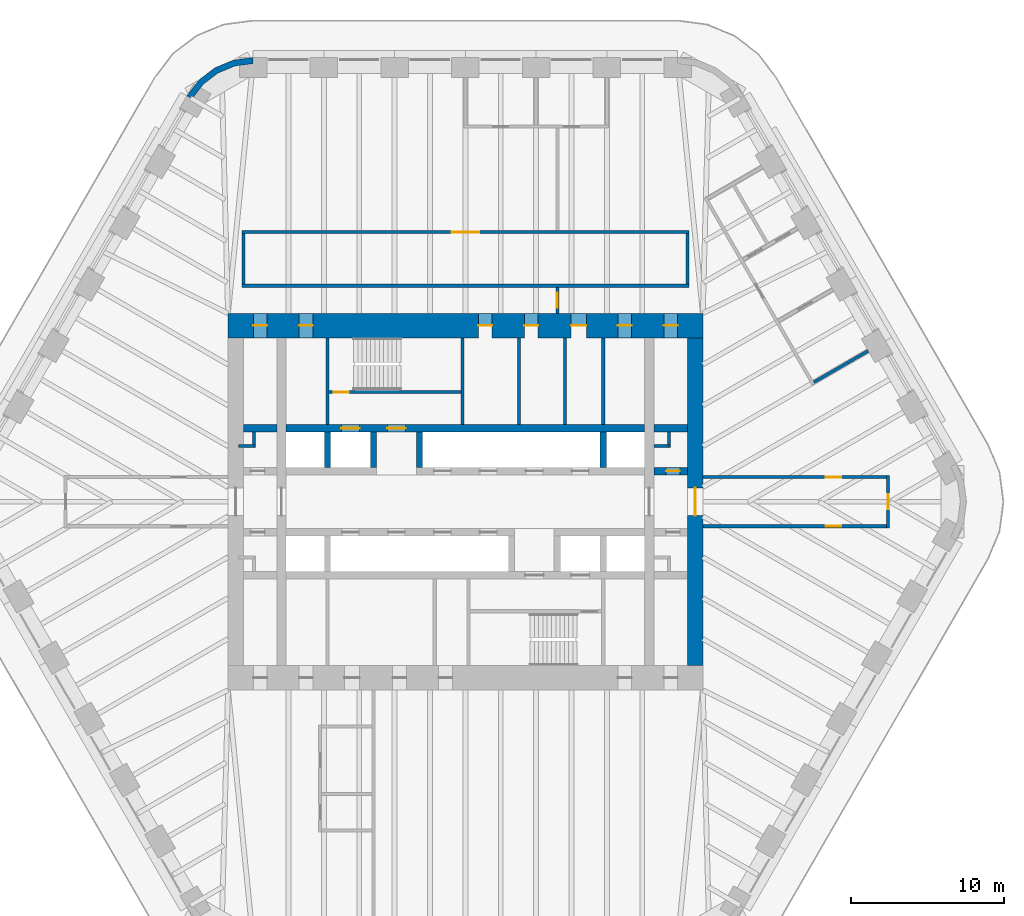
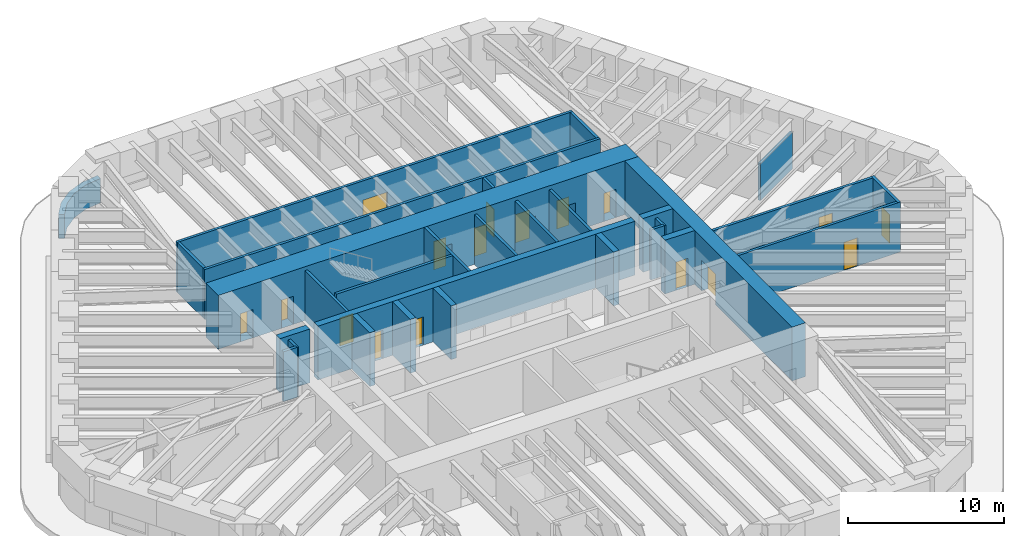
# One storey, part 9 of 12: 30 walls, 17 doors, 17 openings.
"""IFC4 building model written with IfcOpenShell, lengths in metres."""

import ifcopenshell
import ifcopenshell.guid

model = None  # the IFC model being written
_history = None  # IfcOwnerHistory: only IFC2X3 demands one
_inside = {}  # id of a spatial element -> (the spatial element, [elements in it])
_under = {}  # id of a project, library or spatial element -> (it, [spatial elements below it])
_declared = {}  # id of a project -> (the project, [libraries it declares])
_typed = {}  # id of a type object -> (the type object, [elements of that type])
_made_of = {}  # id of a material, layer set ... -> (it, [elements and type objects made of it])


def new_model(schema):
    """Start an empty IFC model of exactly this schema.

    Asked for "IFC4X3", IfcOpenShell would pick the latest addendum, in which some entities
    have other attributes; the version numbers below select the first issue.
    IFC2X3 requires an IfcOwnerHistory on every rooted entity: one is made here for all.
    """
    global model, _history
    if schema == "IFC4X3":
        model = ifcopenshell.file(schema_version=(4, 3, 0, 0))
    else:
        model = ifcopenshell.file(schema=schema)
    _inside.clear()
    _under.clear()
    _declared.clear()
    _typed.clear()
    _made_of.clear()
    _history = None
    if model.schema == "IFC2X3":
        org = make("IfcOrganization", Name="unknown")
        user = make(
            "IfcPersonAndOrganization",
            ThePerson=make("IfcPerson", FamilyName="unknown"),
            TheOrganization=org,
        )
        app = make(
            "IfcApplication",
            ApplicationDeveloper=org,
            Version="unknown",
            ApplicationFullName="unknown",
            ApplicationIdentifier="unknown",
        )
        _history = make(
            "IfcOwnerHistory",
            OwningUser=user,
            OwningApplication=app,
            ChangeAction="ADDED",
            CreationDate=0,
        )
    return model


def make(cls, **values):
    """One entity of the class cls with the attributes given. An attribute that is None is left unset."""
    return model.create_entity(
        cls, **{name: value for name, value in values.items() if value is not None}
    )


def rooted(cls, **values):
    """An entity with a GlobalId (a new one), such as an element, a storey or a relation."""
    return make(cls, GlobalId=ifcopenshell.guid.new(), OwnerHistory=_history, **values)


def si_unit(unit_type, name, prefix=None):
    """IfcSIUnit, for example si_unit("LENGTHUNIT", "METRE", prefix="MILLI")."""
    return make("IfcSIUnit", UnitType=unit_type, Prefix=prefix, Name=name)


def assignment(units):
    """IfcUnitAssignment: the units of a project."""
    return None if units is None else make("IfcUnitAssignment", Units=units)


def point(xyz):
    """IfcCartesianPoint."""
    return None if xyz is None else make("IfcCartesianPoint", Coordinates=xyz)


def direction(xyz):
    """IfcDirection."""
    return None if xyz is None else make("IfcDirection", DirectionRatios=xyz)


def frame(location, z_axis=None, x_axis=None):
    """IfcAxis2Placement3D, a coordinate frame: its origin and axes. An axis left out is left unset."""
    return make(
        "IfcAxis2Placement3D",
        Location=point(location),
        Axis=direction(z_axis),
        RefDirection=direction(x_axis),
    )


def frame_2d(location, x_axis=None):
    """IfcAxis2Placement2D, a coordinate frame in the plane: its origin and x axis."""
    return make(
        "IfcAxis2Placement2D", Location=point(location), RefDirection=direction(x_axis)
    )


def origin():
    """The frame at (0, 0, 0) with its axes left unset."""
    return frame((0.0, 0.0, 0.0))


def place(relative_to, where):
    """IfcLocalPlacement: puts the frame where relative to a parent placement (None: the world)."""
    return make(
        "IfcLocalPlacement", PlacementRelTo=relative_to, RelativePlacement=where
    )


def context(
    kind, dimensions, precision=None, world=None, true_north=None, identifier=None
):
    """IfcGeometricRepresentationContext, for example the 3D "Model" context."""
    return make(
        "IfcGeometricRepresentationContext",
        ContextIdentifier=identifier,
        ContextType=kind,
        CoordinateSpaceDimension=dimensions,
        Precision=precision,
        WorldCoordinateSystem=world,
        TrueNorth=true_north,
    )


def subcontext(parent, identifier, kind, view, scale=None):
    """IfcGeometricRepresentationSubContext, for example "Body" below "Model"."""
    return make(
        "IfcGeometricRepresentationSubContext",
        ContextIdentifier=identifier,
        ContextType=kind,
        ParentContext=parent,
        TargetScale=scale,
        TargetView=view,
    )


def project(units=None, contexts=None):
    """IfcProject with its units and contexts."""
    return rooted(
        "IfcProject",
        Name="project",
        RepresentationContexts=contexts,
        UnitsInContext=assignment(units),
    )


def spatial(cls, under=None, at=None, **own):
    """A site, building, storey or space (cls), placed at a placement, below another one or the project."""
    s = rooted(cls, ObjectPlacement=at, **own)
    if under is not None:
        _under.setdefault(under.id(), (under, []))[1].append(s)
    return s


def polyline(points):
    """IfcPolyline through the points."""
    return make("IfcPolyline", Points=[point(p) for p in points])


def profile(cls, at=None, kind="AREA", **sizes):
    """A parametric profile (cls). Its sizes go by their IFC names, for example OverallWidth=200.0."""
    return make(cls, ProfileType=kind, Position=at, **sizes)


def rectangle(**sizes):
    """IfcRectangleProfileDef."""
    return profile("IfcRectangleProfileDef", **sizes)


def outline(outer, holes=None, kind="AREA"):
    """IfcArbitraryClosedProfileDef: a profile drawn as a closed curve; with holes, ...WithVoids."""
    if holes is None:
        return make("IfcArbitraryClosedProfileDef", ProfileType=kind, OuterCurve=outer)
    return make(
        "IfcArbitraryProfileDefWithVoids",
        ProfileType=kind,
        OuterCurve=outer,
        InnerCurves=holes,
    )


def extrude(swept, where, along, depth):
    """IfcExtrudedAreaSolid: the profile swept, set in the frame where, extruded along a direction by depth."""
    return make(
        "IfcExtrudedAreaSolid",
        SweptArea=swept,
        Position=where,
        ExtrudedDirection=direction(along),
        Depth=depth,
    )


def shape(context_of_items, identifier, shape_type, items):
    """IfcShapeRepresentation: the items that make up one representation, for example the "Body"."""
    return make(
        "IfcShapeRepresentation",
        ContextOfItems=context_of_items,
        RepresentationIdentifier=identifier,
        RepresentationType=shape_type,
        Items=items,
    )


def material(Name=None, Category=None):
    """IfcMaterial."""
    return make("IfcMaterial", Name=Name, Category=Category)


def layer(
    of_material, thickness, ventilated=None, Name=None, Category=None, Priority=None
):
    """IfcMaterialLayer: one layer of a wall or slab, of a material (None: an air gap)."""
    return make(
        "IfcMaterialLayer",
        Material=of_material,
        LayerThickness=thickness,
        IsVentilated=ventilated,
        Name=Name,
        Category=Category,
        Priority=Priority,
    )


def layer_set(layers, Name=None):
    """IfcMaterialLayerSet."""
    return make("IfcMaterialLayerSet", MaterialLayers=layers, LayerSetName=Name)


def made_of(thing, what):
    """Note that an element or type object is made of a material, layer set ...; save() writes the relation."""
    if what is not None:
        _made_of.setdefault(what.id(), (what, []))[1].append(thing)
    return thing


def type_object(cls, material=None, **own):
    """A type object (cls), such as IfcWallType, which elements share."""
    return made_of(rooted(cls, **own), material)


def element(
    cls,
    number,
    at=None,
    inside=None,
    cuts=None,
    type_object=None,
    material=None,
    context=None,
    identifier="Body",
    shape_type=None,
    held_by="IfcProductDefinitionShape",
    body=None,
    shapes=None,
    **own,
):
    """One element of the class cls, such as IfcWall. Its Tag is "e" and its number.

    at: its placement. inside: the storey or other place that contains it. cuts: it is an
    opening in that element (IfcRelVoidsElement). A single representation is given by context,
    identifier, shape_type and body (its items); several are given by shapes. held_by: the class
    of the entity that holds the representations. save() writes the other relations.
    """
    e = rooted(cls, Tag="e%d" % number, ObjectPlacement=at, **own)
    if body is not None:
        shapes = [shape(context, identifier, shape_type, body)]
    if shapes is not None:
        e.Representation = make(held_by, Representations=shapes)
    if inside is not None:
        _inside.setdefault(inside.id(), (inside, []))[1].append(e)
    if cuts is not None:
        rooted(
            "IfcRelVoidsElement", RelatingBuildingElement=cuts, RelatedOpeningElement=e
        )
    if type_object is not None:
        _typed.setdefault(type_object.id(), (type_object, []))[1].append(e)
    return made_of(e, material)


def fill(opening, filler):
    """IfcRelFillsElement: the door or window that sits in an opening."""
    return rooted(
        "IfcRelFillsElement",
        RelatingOpeningElement=opening,
        RelatedBuildingElement=filler,
    )


def aggregate(whole, parts):
    """IfcRelAggregates: a whole, such as a stair, and the parts it consists of."""
    return rooted("IfcRelAggregates", RelatingObject=whole, RelatedObjects=parts)


def save(model, path):
    """Write the relations noted so far, then the file.

    IfcRelAggregates (storeys below a building ...), IfcRelContainedInSpatialStructure (elements
    in a storey), IfcRelDefinesByType, IfcRelAssociatesMaterial and IfcRelDeclares: one each for
    every whole, place, type object, material and project.
    """
    for whole, parts in _under.values():
        aggregate(whole, parts)
    for where, things in _inside.values():
        rooted(
            "IfcRelContainedInSpatialStructure",
            RelatedElements=things,
            RelatingStructure=where,
        )
    for kind, things in _typed.values():
        rooted("IfcRelDefinesByType", RelatedObjects=things, RelatingType=kind)
    for what, things in _made_of.values():
        rooted("IfcRelAssociatesMaterial", RelatedObjects=things, RelatingMaterial=what)
    for by, libraries in _declared.values():
        rooted("IfcRelDeclares", RelatingContext=by, RelatedDefinitions=libraries)
    model.write(path)


model = new_model("IFC4")

# Units and contexts
model_context = context("Model", 3, precision=1e-05, world=origin(), true_north=direction((0.0, 1.0)))
body_context = subcontext(model_context, "Body", "Model", "MODEL_VIEW")
ifc_project = project(units=[si_unit("LENGTHUNIT", "METRE"), si_unit("AREAUNIT", "SQUARE_METRE"), si_unit("VOLUMEUNIT", "CUBIC_METRE"), si_unit("PLANEANGLEUNIT", "RADIAN"), si_unit("MASSUNIT", "GRAM", prefix="KILO")], contexts=[model_context])

# Site, building, storey
site_placement = place(None, origin())
site = spatial("IfcSite", under=ifc_project, at=site_placement, CompositionType="ELEMENT")
building_placement = place(site_placement, origin())
building = spatial("IfcBuilding", under=site, at=building_placement, Name="Tarfa Lantern Tower", CompositionType="ELEMENT")
storey_placement = place(building_placement, frame((0.0, 0.0, 295.300048828125)))
storey = spatial("IfcBuildingStorey", under=building, at=storey_placement, Name="L67", CompositionType="ELEMENT", Elevation=295.300048828125)

# Walls
ifc_material_1 = material(Name="Limestone cladding on blockwork", Category="masonry")
ifc_layer_1 = layer(ifc_material_1, 0.39990234375)
ifc_layer_set_1 = layer_set([ifc_layer_1], Name="EW2 CURVED STONE CORNER 400")
wall_type_1 = type_object("IfcWallType", Name="EW2 CURVED STONE CORNER 400", PredefinedType="SOLIDWALL", material=ifc_layer_set_1)
wall_1_placement = place(storey_placement, origin())
element("IfcWall", 1, at=wall_1_placement, inside=storey, type_object=wall_type_1, Name="Stone corner N-NW", PredefinedType="SOLIDWALL", context=body_context, shape_type="SweptSolid", body=[
    extrude(outline(polyline([(-13.8564453125, 29.0), (-15.150390625, 28.82958984375), (-16.3564453125, 28.330078125), (-17.391845703125, 27.53564453125), (-18.1865234375, 26.5), (-17.840087890625, 26.300048828125), (-17.109130859375, 27.252685546875), (-16.156494140625, 27.983642578125), (-15.046875, 28.443359375), (-13.8564453125, 28.60009765625), (-13.8564453125, 29.0)])), origin(), (0.0, 0.0, 1.0), 1.89990234375),
])
ifc_material_2 = material(Name="Concrete blockwork", Category="masonry")
ifc_layer_2 = layer(ifc_material_2, 0.199951171875)
ifc_layer_set_2 = layer_set([ifc_layer_2], Name="IW1 BLOCKWORK PARTITION 200 EI 120")
wall_type_2 = type_object("IfcWallType", Name="IW1 BLOCKWORK PARTITION 200 EI 120", PredefinedType="PARTITIONING", material=ifc_layer_set_2)
for number, where, z_axis, x_axis, name in (
    (2, (-9.0, 5.050048828125, 0.0), (0.0, 0.0, 1.0), (0.0, 1.0, 0.0), "Core partition"),
    (3, (9.0, 5.050048828125, 0.0), (0.0, 0.0, 1.0), (0.0, 1.0, 0.0), "Core partition"),
    (4, (3.5, 5.050048828125, 0.0), (0.0, 0.0, 1.0), (0.0, 1.0, 0.0), "Core partition"),
    (5, (6.5, 5.050048828125, 0.0), (0.0, 0.0, 1.0), (0.0, 1.0, 0.0), "Core partition"),
):
    element("IfcWall", number, at=place(storey_placement, frame(where, z_axis=z_axis, x_axis=x_axis)), inside=storey, type_object=wall_type_2, Name=name, PredefinedType="PARTITIONING", context=body_context, shape_type="SweptSolid", body=[
        extrude(rectangle(XDim=5.64990234375, YDim=0.199951171875, at=frame_2d((2.824951171875, 0.0))), origin(), (0.0, 0.0, 1.0), 3.89990234375),
    ])
for number, where, z_axis, x_axis, name in (
    (6, (-14.800048828125, 3.64990234375, 0.0), (0.0, 0.0, 1.0), (1.0, 0.0, 0.0), "Core partition"),
    (7, (-13.800048828125, 3.550048828125, 0.0), (0.0, 0.0, 1.0), (0.0, 1.0, 0.0), "Core partition"),
    (8, (12.300048828125, 3.64990234375, 0.0), (0.0, 0.0, 1.0), (1.0, 0.0, 0.0), "Core partition"),
    (9, (13.300048828125, 3.550048828125, 0.0), (0.0, 0.0, 1.0), (0.0, 1.0, 0.0), "Core partition"),
):
    element("IfcWall", number, at=place(storey_placement, frame(where, z_axis=z_axis, x_axis=x_axis)), inside=storey, type_object=wall_type_2, Name=name, PredefinedType="PARTITIONING", context=body_context, shape_type="SweptSolid", body=[
        extrude(rectangle(XDim=1.0, YDim=0.199951171875, at=frame_2d((0.5, 0.0))), origin(), (0.0, 0.0, 1.0), 3.89990234375),
    ])
ifc_material_3 = material(Name="Gypsum board on steel studs", Category="steel")
ifc_layer_3 = layer(ifc_material_3, 0.2099609375)
ifc_layer_set_3 = layer_set([ifc_layer_3], Name="IW2 ACOUSTIC PARTITION 200")
wall_type_3 = type_object("IfcWallType", Name="IW2 ACOUSTIC PARTITION 200", PredefinedType="PARTITIONING", material=ifc_layer_set_3)
wall_2_placement = place(storey_placement, frame((-14.60009765625, 14.10009765625, 0.0), z_axis=(0.0, 0.0, 1.0), x_axis=(1.0, 0.0, 0.0)))
element("IfcWall", 10, at=wall_2_placement, inside=storey, type_object=wall_type_3, Name="Partition", PredefinedType="PARTITIONING", context=body_context, shape_type="SweptSolid", body=[
    extrude(rectangle(XDim=29.2001953125, YDim=0.199951171875, at=frame_2d((14.60009765625, 0.0))), origin(), (0.0, 0.0, 1.0), 3.89990234375),
])

# Wall, opening, door
wall_3_placement = place(storey_placement, frame((-14.60009765625, 17.60009765625, 0.0), z_axis=(0.0, 0.0, 1.0), x_axis=(1.0, 0.0, 0.0)))
wall_3 = element("IfcWall", 11, at=wall_3_placement, inside=storey, type_object=wall_type_3, Name="Partition", PredefinedType="PARTITIONING", context=body_context, shape_type="SweptSolid", body=[
    extrude(rectangle(XDim=29.2001953125, YDim=0.199951171875, at=frame_2d((14.60009765625, 0.0))), origin(), (0.0, 0.0, 1.0), 3.89990234375),
])
opening_1_placement = place(wall_3_placement, frame((13.699951171875, 0.0, 0.0)))
opening_1 = element("IfcOpeningElement", 12, at=opening_1_placement, cuts=wall_3, Name="Opening D33", PredefinedType="OPENING", context=body_context, shape_type="SweptSolid", body=[
    extrude(rectangle(XDim=1.800048828125, YDim=2.39990234375, at=frame_2d((0.89990234375, 1.199951171875))), frame((0.0, 0.10986328125, 0.0), z_axis=(0.0, -1.0, 0.0), x_axis=(1.0, 0.0, 0.0)), (0.0, 0.0, 1.0), 0.219970703125),
])
ifc_material_4 = material(Name="Timber door", Category="wood")
door_type_1 = type_object("IfcDoorType", Name="DR2 ROOM DOOR 1800x2400", OperationType="DOUBLE_DOOR_SINGLE_SWING", PredefinedType="DOOR", material=ifc_material_4)
door_1_placement = place(opening_1_placement, frame((1.800048828125, 0.0, 0.0), z_axis=(0.0, 0.0, 1.0), x_axis=(-1.0, 0.0, 0.0)))
door_1 = element("IfcDoor", 13, at=door_1_placement, inside=storey, type_object=door_type_1, Name="Scenario room door", OperationType="DOUBLE_DOOR_SINGLE_SWING", OverallHeight=2.39990234375, OverallWidth=1.800048828125, PredefinedType="DOOR", context=body_context, shape_type="SweptSolid", body=[
    extrude(rectangle(XDim=1.800048828125, YDim=2.39990234375, at=frame_2d((0.89990234375, 1.199951171875))), frame((0.0, 0.02490234375, 0.0), z_axis=(0.0, -1.0, 0.0), x_axis=(1.0, 0.0, 0.0)), (0.0, 0.0, 1.0), 0.050048828125),
])
fill(opening_1, door_1)

# Walls
for number, where, z_axis, x_axis, name in (
    (14, (-14.5, 14.199951171875, 0.0), (0.0, 0.0, 1.0), (0.0, 1.0, 0.0), "Partition"),
    (15, (14.5, 14.199951171875, 0.0), (0.0, 0.0, 1.0), (0.0, 1.0, 0.0), "Partition"),
):
    element("IfcWall", number, at=place(storey_placement, frame(where, z_axis=z_axis, x_axis=x_axis)), inside=storey, type_object=wall_type_3, Name=name, PredefinedType="PARTITIONING", context=body_context, shape_type="SweptSolid", body=[
        extrude(rectangle(XDim=3.300048828125, YDim=0.199951171875, at=frame_2d((1.64990234375, 0.0))), origin(), (0.0, 0.0, 1.0), 3.89990234375),
    ])
wall_4_placement = place(storey_placement, frame((22.74755859375, 7.800048828125, 0.0), z_axis=(0.0, 0.0, 1.0), x_axis=(0.8660249478, 0.500000789788, 0.0)))
element("IfcWall", 16, at=wall_4_placement, inside=storey, type_object=wall_type_3, Name="Partition", PredefinedType="PARTITIONING", context=body_context, shape_type="SweptSolid", body=[
    extrude(rectangle(XDim=4.10009765625, YDim=0.199951171875, at=frame_2d((2.050048828125, 0.0))), origin(), (0.0, 0.0, 1.0), 2.891845703125),
])

# Wall, opening, door
wall_5_placement = place(storey_placement, frame((15.5, 1.60009765625, 0.0), z_axis=(0.0, 0.0, 1.0), x_axis=(1.0, 0.0, 0.0)))
wall_5 = element("IfcWall", 17, at=wall_5_placement, inside=storey, type_object=wall_type_3, Name="Partition", PredefinedType="PARTITIONING", context=body_context, shape_type="SweptSolid", body=[
    extrude(rectangle(XDim=12.199951171875, YDim=0.199951171875, at=frame_2d((6.10009765625, 0.0))), origin(), (0.0, 0.0, 1.0), 3.89990234375),
])
opening_2_placement = place(wall_5_placement, frame((8.0400390625, 0.0, 0.0)))
opening_2 = element("IfcOpeningElement", 18, at=opening_2_placement, cuts=wall_5, Name="Opening D37", PredefinedType="OPENING", context=body_context, shape_type="SweptSolid", body=[
    extrude(rectangle(XDim=1.0, YDim=2.199951171875, at=frame_2d((0.5, 1.10009765625))), frame((0.0, 0.10986328125, 0.0), z_axis=(0.0, -1.0, 0.0), x_axis=(1.0, 0.0, 0.0)), (0.0, 0.0, 1.0), 0.219970703125),
])
door_type_2 = type_object("IfcDoorType", Name="DR1 ROOM DOOR 1000x2200", OperationType="SINGLE_SWING_LEFT", PredefinedType="DOOR", material=ifc_material_4)
door_2_placement = place(opening_2_placement, origin())
door_2 = element("IfcDoor", 19, at=door_2_placement, inside=storey, type_object=door_type_2, Name="Corridor door", OperationType="SINGLE_SWING_LEFT", OverallHeight=2.199951171875, OverallWidth=1.0, PredefinedType="DOOR", context=body_context, shape_type="SweptSolid", body=[
    extrude(rectangle(XDim=1.0, YDim=2.199951171875, at=frame_2d((0.5, 1.10009765625))), frame((0.0, 0.02490234375, 0.0), z_axis=(0.0, -1.0, 0.0), x_axis=(1.0, 0.0, 0.0)), (0.0, 0.0, 1.0), 0.050048828125),
])
fill(opening_2, door_2)

wall_6_placement = place(storey_placement, frame((15.5, -1.60009765625, 0.0), z_axis=(0.0, 0.0, 1.0), x_axis=(1.0, 0.0, 0.0)))
wall_6 = element("IfcWall", 20, at=wall_6_placement, inside=storey, type_object=wall_type_3, Name="Partition", PredefinedType="PARTITIONING", context=body_context, shape_type="SweptSolid", body=[
    extrude(rectangle(XDim=12.199951171875, YDim=0.199951171875, at=frame_2d((6.10009765625, 0.0))), origin(), (0.0, 0.0, 1.0), 3.89990234375),
])
opening_3_placement = place(wall_6_placement, frame((8.0400390625, 0.0, 0.0)))
opening_3 = element("IfcOpeningElement", 21, at=opening_3_placement, cuts=wall_6, Name="Opening D38", PredefinedType="OPENING", context=body_context, shape_type="SweptSolid", body=[
    extrude(rectangle(XDim=1.0, YDim=2.199951171875, at=frame_2d((0.5, 1.10009765625))), frame((0.0, 0.10986328125, 0.0), z_axis=(0.0, -1.0, 0.0), x_axis=(1.0, 0.0, 0.0)), (0.0, 0.0, 1.0), 0.219970703125),
])
door_3_placement = place(opening_3_placement, frame((1.0, 0.0, 0.0), z_axis=(0.0, 0.0, 1.0), x_axis=(-1.0, 0.0, 0.0)))
door_3 = element("IfcDoor", 22, at=door_3_placement, inside=storey, type_object=door_type_2, Name="Corridor door", OperationType="SINGLE_SWING_RIGHT", OverallHeight=2.199951171875, OverallWidth=1.0, PredefinedType="DOOR", context=body_context, shape_type="SweptSolid", body=[
    extrude(rectangle(XDim=1.0, YDim=2.199951171875, at=frame_2d((0.5, 1.10009765625))), frame((0.0, 0.02490234375, 0.0), z_axis=(0.0, -1.0, 0.0), x_axis=(1.0, 0.0, 0.0)), (0.0, 0.0, 1.0), 0.050048828125),
])
fill(opening_3, door_3)

wall_7_placement = place(storey_placement, frame((27.60009765625, -1.699951171875, 0.0), z_axis=(0.0, 0.0, 1.0), x_axis=(0.0, 1.0, 0.0)))
wall_7 = element("IfcWall", 23, at=wall_7_placement, inside=storey, type_object=wall_type_3, Name="Partition", PredefinedType="PARTITIONING", context=body_context, shape_type="SweptSolid", body=[
    extrude(rectangle(XDim=3.39990234375, YDim=0.199951171875, at=frame_2d((1.699951171875, 0.0))), origin(), (0.0, 0.0, 1.0), 3.89990234375),
])
opening_4_placement = place(wall_7_placement, frame((1.199951171875, 0.0, 0.0)))
opening_4 = element("IfcOpeningElement", 24, at=opening_4_placement, cuts=wall_7, Name="Opening D36", PredefinedType="OPENING", context=body_context, shape_type="SweptSolid", body=[
    extrude(rectangle(XDim=1.0, YDim=2.199951171875, at=frame_2d((0.5, 1.10009765625))), frame((0.0, 0.10986328125, 0.0), z_axis=(0.0, -1.0, 0.0), x_axis=(1.0, 0.0, 0.0)), (0.0, 0.0, 1.0), 0.219970703125),
])
door_4_placement = place(opening_4_placement, frame((1.0, 0.0, 0.0), z_axis=(0.0, 0.0, 1.0), x_axis=(-1.0, 0.0, 0.0)))
door_4 = element("IfcDoor", 25, at=door_4_placement, inside=storey, type_object=door_type_2, Name="Corridor door", OperationType="SINGLE_SWING_LEFT", OverallHeight=2.199951171875, OverallWidth=1.0, PredefinedType="DOOR", context=body_context, shape_type="SweptSolid", body=[
    extrude(rectangle(XDim=1.0, YDim=2.199951171875, at=frame_2d((0.5, 1.10009765625))), frame((0.0, 0.02490234375, 0.0), z_axis=(0.0, -1.0, 0.0), x_axis=(1.0, 0.0, 0.0)), (0.0, 0.0, 1.0), 0.050048828125),
])
fill(opening_4, door_4)

wall_8_placement = place(storey_placement, frame((6.0, 12.300048828125, 0.0), z_axis=(0.0, 0.0, 1.0), x_axis=(0.0, 1.0, 0.0)))
wall_8 = element("IfcWall", 26, at=wall_8_placement, inside=storey, type_object=wall_type_3, Name="Partition", PredefinedType="PARTITIONING", context=body_context, shape_type="SweptSolid", body=[
    extrude(rectangle(XDim=1.699951171875, YDim=0.199951171875, at=frame_2d((0.85009765625, 0.0))), origin(), (0.0, 0.0, 1.0), 3.89990234375),
])
opening_5_placement = place(wall_8_placement, frame((0.35009765625, 0.0, 0.0)))
opening_5 = element("IfcOpeningElement", 27, at=opening_5_placement, cuts=wall_8, Name="Opening D42", PredefinedType="OPENING", context=body_context, shape_type="SweptSolid", body=[
    extrude(rectangle(XDim=1.0, YDim=2.199951171875, at=frame_2d((0.5, 1.10009765625))), frame((0.0, 0.10986328125, 0.0), z_axis=(0.0, -1.0, 0.0), x_axis=(1.0, 0.0, 0.0)), (0.0, 0.0, 1.0), 0.219970703125),
])
door_5_placement = place(opening_5_placement, origin())
door_5 = element("IfcDoor", 28, at=door_5_placement, inside=storey, type_object=door_type_2, Name="Zone door", OperationType="SINGLE_SWING_LEFT", OverallHeight=2.199951171875, OverallWidth=1.0, PredefinedType="DOOR", context=body_context, shape_type="SweptSolid", body=[
    extrude(rectangle(XDim=1.0, YDim=2.199951171875, at=frame_2d((0.5, 1.10009765625))), frame((0.0, 0.02490234375, 0.0), z_axis=(0.0, -1.0, 0.0), x_axis=(1.0, 0.0, 0.0)), (0.0, 0.0, 1.0), 0.050048828125),
])
fill(opening_5, door_5)

# Wall
ifc_material_5 = material(Name="Concrete C80/95", Category="concrete")
ifc_layer_4 = layer(ifc_material_5, 0.199951171875)
ifc_layer_set_4 = layer_set([ifc_layer_4], Name="SW12 CORE WALL 200")
wall_type_4 = type_object("IfcWallType", Name="SW12 CORE WALL 200", PredefinedType="SHEAR", material=ifc_layer_set_4)
wall_9_placement = place(storey_placement, frame((-0.199951171875, 5.050048828125, 0.0), z_axis=(0.0, 0.0, 1.0), x_axis=(0.0, 1.0, 0.0)))
element("IfcWall", 29, at=wall_9_placement, inside=storey, type_object=wall_type_4, Name="Core wall stair shaft N", PredefinedType="SHEAR", context=body_context, shape_type="SweptSolid", body=[
    extrude(rectangle(XDim=5.64990234375, YDim=0.199951171875, at=frame_2d((2.824951171875, 0.0))), origin(), (0.0, 0.0, 1.0), 4.199951171875),
])

# Wall, opening, door
wall_10_placement = place(storey_placement, frame((-8.89990234375, 7.14990234375, 0.0), z_axis=(0.0, 0.0, 1.0), x_axis=(1.0, 0.0, 0.0)))
wall_10 = element("IfcWall", 30, at=wall_10_placement, inside=storey, type_object=wall_type_4, Name="Core wall stair partition N", PredefinedType="SHEAR", context=body_context, shape_type="SweptSolid", body=[
    extrude(rectangle(XDim=8.599853515625, YDim=0.199951171875, at=frame_2d((4.2998046875, 0.0))), origin(), (0.0, 0.0, 1.0), 4.199951171875),
])
opening_6_placement = place(wall_10_placement, frame((0.300048828125, 0.0, 0.0)))
opening_6 = element("IfcOpeningElement", 31, at=opening_6_placement, cuts=wall_10, Name="Opening D23", PredefinedType="OPENING", context=body_context, shape_type="SweptSolid", body=[
    extrude(rectangle(XDim=1.0, YDim=2.199951171875, at=frame_2d((0.5, 1.10009765625))), frame((0.0, 0.10986328125, 0.0), z_axis=(0.0, -1.0, 0.0), x_axis=(1.0, 0.0, 0.0)), (0.0, 0.0, 1.0), 0.219970703125),
])
ifc_material_6 = material(Name="Steel fire door", Category="steel")
door_type_3 = type_object("IfcDoorType", Name="DF2 STAIR DOOR 1000x2200", OperationType="SINGLE_SWING_LEFT", PredefinedType="DOOR", material=ifc_material_6)
door_6_placement = place(opening_6_placement, origin())
door_6 = element("IfcDoor", 32, at=door_6_placement, inside=storey, type_object=door_type_3, Name="Stair door", OperationType="SINGLE_SWING_RIGHT", OverallHeight=2.199951171875, OverallWidth=1.0, PredefinedType="DOOR", context=body_context, shape_type="SweptSolid", body=[
    extrude(rectangle(XDim=1.0, YDim=2.199951171875, at=frame_2d((0.5, 1.10009765625))), frame((0.0, 0.02490234375, 0.0), z_axis=(0.0, -1.0, 0.0), x_axis=(1.0, 0.0, 0.0)), (0.0, 0.0, 1.0), 0.050048828125),
])
fill(opening_6, door_6)

ifc_layer_5 = layer(ifc_material_5, 1.0)
ifc_layer_set_5 = layer_set([ifc_layer_5], Name="SW2 CORE WALL 1000")
wall_type_5 = type_object("IfcWallType", Name="SW2 CORE WALL 1000", PredefinedType="SHEAR", material=ifc_layer_set_5)
wall_11_placement = place(storey_placement, frame((15.0, -10.699951171875, 0.0), z_axis=(0.0, 0.0, 1.0), x_axis=(0.0, 1.0, 0.0)))
wall_11 = element("IfcWall", 33, at=wall_11_placement, inside=storey, type_object=wall_type_5, Name="Core wall E", PredefinedType="SHEAR", context=body_context, shape_type="SweptSolid", body=[
    extrude(rectangle(XDim=21.39990234375, YDim=1.0, at=frame_2d((10.699951171875, 0.0))), origin(), (0.0, 0.0, 1.0), 4.199951171875),
])
opening_7_placement = place(wall_11_placement, frame((9.800048828125, 0.0, 0.0)))
opening_7 = element("IfcOpeningElement", 34, at=opening_7_placement, cuts=wall_11, Name="Opening D11", PredefinedType="OPENING", context=body_context, shape_type="SweptSolid", body=[
    extrude(rectangle(XDim=1.800048828125, YDim=2.39990234375, at=frame_2d((0.89990234375, 1.199951171875))), frame((0.0, 0.510009765625, 0.0), z_axis=(0.0, -1.0, 0.0), x_axis=(1.0, 0.0, 0.0)), (0.0, 0.0, 1.0), 1.02001953125),
])
door_type_4 = type_object("IfcDoorType", Name="DL1 LOBBY DOOR 1800x2400", OperationType="DOUBLE_DOOR_SINGLE_SWING", PredefinedType="DOOR", material=ifc_material_6)
door_7_placement = place(opening_7_placement, frame((1.800048828125, 0.0, 0.0), z_axis=(0.0, 0.0, 1.0), x_axis=(-1.0, 0.0, 0.0)))
door_7 = element("IfcDoor", 35, at=door_7_placement, inside=storey, type_object=door_type_4, Name="Lift lobby door", OperationType="DOUBLE_DOOR_SINGLE_SWING", OverallHeight=2.39990234375, OverallWidth=1.800048828125, PredefinedType="DOOR", context=body_context, shape_type="SweptSolid", body=[
    extrude(rectangle(XDim=1.800048828125, YDim=2.39990234375, at=frame_2d((0.89990234375, 1.199951171875))), frame((0.0, 0.02490234375, 0.0), z_axis=(0.0, -1.0, 0.0), x_axis=(1.0, 0.0, 0.0)), (0.0, 0.0, 1.0), 0.050048828125),
])
fill(opening_7, door_7)

ifc_layer_6 = layer(ifc_material_5, 0.5)
ifc_layer_set_6 = layer_set([ifc_layer_6], Name="SW5 CORE WALL 500")
wall_type_6 = type_object("IfcWallType", Name="SW5 CORE WALL 500", PredefinedType="SHEAR", material=ifc_layer_set_6)
wall_12_placement = place(storey_placement, frame((12.300048828125, 2.0, 0.0), z_axis=(0.0, 0.0, 1.0), x_axis=(1.0, 0.0, 0.0)))
wall_12 = element("IfcWall", 36, at=wall_12_placement, inside=storey, type_object=wall_type_6, Name="Core wall lobby east N", PredefinedType="SHEAR", context=body_context, shape_type="SweptSolid", body=[
    extrude(rectangle(XDim=2.199951171875, YDim=0.5, at=frame_2d((1.10009765625, 0.0))), origin(), (0.0, 0.0, 1.0), 4.199951171875),
])
opening_8_placement = place(wall_12_placement, frame((0.800048828125, 0.0, 0.0)))
opening_8 = element("IfcOpeningElement", 37, at=opening_8_placement, cuts=wall_12, Name="Opening D13", PredefinedType="OPENING", context=body_context, shape_type="SweptSolid", body=[
    extrude(rectangle(XDim=0.89990234375, YDim=2.199951171875, at=frame_2d((0.449951171875, 1.10009765625))), frame((0.0, 0.260009765625, 0.0), z_axis=(0.0, -1.0, 0.0), x_axis=(1.0, 0.0, 0.0)), (0.0, 0.0, 1.0), 0.52001953125),
])
door_type_5 = type_object("IfcDoorType", Name="DF6 SERVICE ROOM DOOR 900x2200", OperationType="SINGLE_SWING_LEFT", PredefinedType="DOOR", material=ifc_material_6)
door_8_placement = place(opening_8_placement, origin())
door_8 = element("IfcDoor", 38, at=door_8_placement, inside=storey, type_object=door_type_5, Name="Service room door", OperationType="SINGLE_SWING_LEFT", OverallHeight=2.199951171875, OverallWidth=0.89990234375, PredefinedType="DOOR", context=body_context, shape_type="SweptSolid", body=[
    extrude(rectangle(XDim=0.89990234375, YDim=2.199951171875, at=frame_2d((0.449951171875, 1.10009765625))), frame((0.0, 0.02490234375, 0.0), z_axis=(0.0, -1.0, 0.0), x_axis=(1.0, 0.0, 0.0)), (0.0, 0.0, 1.0), 0.050048828125),
])
fill(opening_8, door_8)

# Wall
wall_13_placement = place(storey_placement, frame((-14.5, 4.800048828125, 0.0), z_axis=(0.0, 0.0, 1.0), x_axis=(1.0, 0.0, 0.0)))
element("IfcWall", 39, at=wall_13_placement, inside=storey, type_object=wall_type_6, Name="Core wall rear N", PredefinedType="SHEAR", context=body_context, shape_type="SweptSolid", body=[
    extrude(rectangle(XDim=2.199951171875, YDim=0.5, at=frame_2d((1.10009765625, 0.0))), origin(), (0.0, 0.0, 1.0), 4.199951171875),
])

# Wall, openings, doors
wall_14_placement = place(storey_placement, frame((-11.699951171875, 4.800048828125, 0.0), z_axis=(0.0, 0.0, 1.0), x_axis=(1.0, 0.0, 0.0)))
wall_14 = element("IfcWall", 40, at=wall_14_placement, inside=storey, type_object=wall_type_6, Name="Core wall rear N", PredefinedType="SHEAR", context=body_context, shape_type="SweptSolid", body=[
    extrude(rectangle(XDim=23.39990234375, YDim=0.5, at=frame_2d((11.699951171875, 0.0))), origin(), (0.0, 0.0, 1.0), 4.199951171875),
])
opening_9_placement = place(wall_14_placement, frame((6.60009765625, 0.0, 0.0)))
opening_9 = element("IfcOpeningElement", 41, at=opening_9_placement, cuts=wall_14, Name="Opening D09", PredefinedType="OPENING", context=body_context, shape_type="SweptSolid", body=[
    extrude(rectangle(XDim=1.199951171875, YDim=2.199951171875, at=frame_2d((0.60009765625, 1.10009765625))), frame((0.0, 0.260009765625, 0.0), z_axis=(0.0, -1.0, 0.0), x_axis=(1.0, 0.0, 0.0)), (0.0, 0.0, 1.0), 0.52001953125),
])
opening_10_placement = place(wall_14_placement, frame((3.60009765625, 0.0, 0.0)))
opening_10 = element("IfcOpeningElement", 42, at=opening_10_placement, cuts=wall_14, Name="Opening LD01", PredefinedType="OPENING", context=body_context, shape_type="SweptSolid", body=[
    extrude(rectangle(XDim=1.199951171875, YDim=2.199951171875, at=frame_2d((0.60009765625, 1.10009765625))), frame((0.0, 0.260009765625, 0.0), z_axis=(0.0, -1.0, 0.0), x_axis=(1.0, 0.0, 0.0)), (0.0, 0.0, 1.0), 0.52001953125),
])
door_type_6 = type_object("IfcDoorType", Name="DF1 FIREFIGHTING LOBBY DOOR 1200x2200", OperationType="SINGLE_SWING_LEFT", PredefinedType="DOOR", material=ifc_material_6)
door_9_placement = place(opening_9_placement, origin())
door_9 = element("IfcDoor", 43, at=door_9_placement, inside=storey, type_object=door_type_6, Name="Firefighting lobby door", OperationType="SINGLE_SWING_LEFT", OverallHeight=2.199951171875, OverallWidth=1.199951171875, PredefinedType="DOOR", context=body_context, shape_type="SweptSolid", body=[
    extrude(rectangle(XDim=1.199951171875, YDim=2.199951171875, at=frame_2d((0.60009765625, 1.10009765625))), frame((0.0, 0.02490234375, 0.0), z_axis=(0.0, -1.0, 0.0), x_axis=(1.0, 0.0, 0.0)), (0.0, 0.0, 1.0), 0.050048828125),
])
fill(opening_9, door_9)
ifc_material_7 = material(Name="Stainless steel lift door", Category="steel")
door_type_7 = type_object("IfcDoorType", Name="LD1 LIFT LANDING DOOR 1200x2200", OperationType="SLIDING_TO_LEFT", PredefinedType="DOOR", material=ifc_material_7)
door_10_placement = place(opening_10_placement, origin())
door_10 = element("IfcDoor", 44, at=door_10_placement, inside=storey, type_object=door_type_7, Name="Landing door FL1", OperationType="SLIDING_TO_LEFT", OverallHeight=2.199951171875, OverallWidth=1.199951171875, PredefinedType="DOOR", context=body_context, shape_type="SweptSolid", body=[
    extrude(rectangle(XDim=1.199951171875, YDim=2.199951171875, at=frame_2d((0.60009765625, 1.10009765625))), frame((0.0, 0.02490234375, 0.0), z_axis=(0.0, -1.0, 0.0), x_axis=(1.0, 0.0, 0.0)), (0.0, 0.0, 1.0), 0.050048828125),
])
fill(opening_10, door_10)

# Walls
wall_15_placement = place(storey_placement, frame((12.300048828125, 4.800048828125, 0.0), z_axis=(0.0, 0.0, 1.0), x_axis=(1.0, 0.0, 0.0)))
element("IfcWall", 45, at=wall_15_placement, inside=storey, type_object=wall_type_6, Name="Core wall rear N", PredefinedType="SHEAR", context=body_context, shape_type="SweptSolid", body=[
    extrude(rectangle(XDim=2.199951171875, YDim=0.5, at=frame_2d((1.10009765625, 0.0))), origin(), (0.0, 0.0, 1.0), 4.199951171875),
])
ifc_layer_7 = layer(ifc_material_5, 0.39990234375)
ifc_layer_set_7 = layer_set([ifc_layer_7], Name="SW6 CORE WALL 400")
wall_type_7 = type_object("IfcWallType", Name="SW6 CORE WALL 400", PredefinedType="SHEAR", material=ifc_layer_set_7)
for number, where, z_axis, x_axis, name in (
    (46, (-9.0, 2.25, 0.0), (0.0, 0.0, 1.0), (0.0, 1.0, 0.0), "Core wall divider N"),
    (47, (-6.0, 2.25, 0.0), (0.0, 0.0, 1.0), (0.0, 1.0, 0.0), "Core wall divider N"),
    (48, (-3.0, 2.25, 0.0), (0.0, 0.0, 1.0), (0.0, 1.0, 0.0), "Core wall divider N"),
    (49, (9.0, 2.25, 0.0), (0.0, 0.0, 1.0), (0.0, 1.0, 0.0), "Core wall divider N"),
):
    element("IfcWall", number, at=place(storey_placement, frame(where, z_axis=z_axis, x_axis=x_axis)), inside=storey, type_object=wall_type_7, Name=name, PredefinedType="SHEAR", context=body_context, shape_type="SweptSolid", body=[
        extrude(rectangle(XDim=2.300048828125, YDim=0.39990234375, at=frame_2d((1.14990234375, 0.0))), origin(), (0.0, 0.0, 1.0), 4.199951171875),
    ])

# Wall, openings, doors
ifc_layer_8 = layer(ifc_material_5, 1.60009765625)
ifc_layer_set_8 = layer_set([ifc_layer_8], Name="SW7 CORE WALL 1600")
wall_type_8 = type_object("IfcWallType", Name="SW7 CORE WALL 1600", PredefinedType="SHEAR", material=ifc_layer_set_8)
wall_16_placement = place(storey_placement, frame((-15.5, 11.5, 0.0), z_axis=(0.0, 0.0, 1.0), x_axis=(1.0, 0.0, 0.0)))
wall_16 = element("IfcWall", 50, at=wall_16_placement, inside=storey, type_object=wall_type_8, Name="Core wall N", PredefinedType="SHEAR", context=body_context, shape_type="SweptSolid", body=[
    extrude(rectangle(XDim=31.0, YDim=1.60009765625, at=frame_2d((15.5, 0.0))), origin(), (0.0, 0.0, 1.0), 4.199951171875),
])
opening_11_placement = place(wall_16_placement, frame((16.35009765625, 0.0, 0.0)))
opening_11 = element("IfcOpeningElement", 51, at=opening_11_placement, cuts=wall_16, Name="Opening D17", PredefinedType="OPENING", context=body_context, shape_type="SweptSolid", body=[
    extrude(rectangle(XDim=0.89990234375, YDim=2.199951171875, at=frame_2d((0.449951171875, 1.10009765625))), frame((0.0, 0.81005859375, 0.0), z_axis=(0.0, -1.0, 0.0), x_axis=(1.0, 0.0, 0.0)), (0.0, 0.0, 1.0), 1.6201171875),
])
opening_12_placement = place(wall_16_placement, frame((19.35009765625, 0.0, 0.0)))
opening_12 = element("IfcOpeningElement", 52, at=opening_12_placement, cuts=wall_16, Name="Opening D19", PredefinedType="OPENING", context=body_context, shape_type="SweptSolid", body=[
    extrude(rectangle(XDim=0.89990234375, YDim=2.199951171875, at=frame_2d((0.449951171875, 1.10009765625))), frame((0.0, 0.81005859375, 0.0), z_axis=(0.0, -1.0, 0.0), x_axis=(1.0, 0.0, 0.0)), (0.0, 0.0, 1.0), 1.6201171875),
])
opening_13_placement = place(wall_16_placement, frame((22.39990234375, 0.0, 0.0)))
opening_13 = element("IfcOpeningElement", 53, at=opening_13_placement, cuts=wall_16, Name="Opening D21", PredefinedType="OPENING", context=body_context, shape_type="SweptSolid", body=[
    extrude(rectangle(XDim=1.0, YDim=2.199951171875, at=frame_2d((0.5, 1.10009765625))), frame((0.0, 0.81005859375, 0.0), z_axis=(0.0, -1.0, 0.0), x_axis=(1.0, 0.0, 0.0)), (0.0, 0.0, 1.0), 1.6201171875),
])
opening_14_placement = place(wall_16_placement, frame((1.64990234375, 0.0, 0.0)))
opening_14 = element("IfcOpeningElement", 54, at=opening_14_placement, cuts=wall_16, Name="Opening D07", PredefinedType="OPENING", context=body_context, shape_type="SweptSolid", body=[
    extrude(rectangle(XDim=0.89990234375, YDim=2.199951171875, at=frame_2d((0.449951171875, 1.10009765625))), frame((0.0, 0.81005859375, 0.0), z_axis=(0.0, -1.0, 0.0), x_axis=(1.0, 0.0, 0.0)), (0.0, 0.0, 1.0), 1.6201171875),
])
opening_15_placement = place(wall_16_placement, frame((4.64990234375, 0.0, 0.0)))
opening_15 = element("IfcOpeningElement", 55, at=opening_15_placement, cuts=wall_16, Name="Opening D05", PredefinedType="OPENING", context=body_context, shape_type="SweptSolid", body=[
    extrude(rectangle(XDim=0.89990234375, YDim=2.199951171875, at=frame_2d((0.449951171875, 1.10009765625))), frame((0.0, 0.81005859375, 0.0), z_axis=(0.0, -1.0, 0.0), x_axis=(1.0, 0.0, 0.0)), (0.0, 0.0, 1.0), 1.6201171875),
])
opening_16_placement = place(wall_16_placement, frame((25.449951171875, 0.0, 0.0)))
opening_16 = element("IfcOpeningElement", 56, at=opening_16_placement, cuts=wall_16, Name="Opening D03", PredefinedType="OPENING", context=body_context, shape_type="SweptSolid", body=[
    extrude(rectangle(XDim=0.89990234375, YDim=2.199951171875, at=frame_2d((0.449951171875, 1.10009765625))), frame((0.0, 0.81005859375, 0.0), z_axis=(0.0, -1.0, 0.0), x_axis=(1.0, 0.0, 0.0)), (0.0, 0.0, 1.0), 1.6201171875),
])
opening_17_placement = place(wall_16_placement, frame((28.449951171875, 0.0, 0.0)))
opening_17 = element("IfcOpeningElement", 57, at=opening_17_placement, cuts=wall_16, Name="Opening D01", PredefinedType="OPENING", context=body_context, shape_type="SweptSolid", body=[
    extrude(rectangle(XDim=0.89990234375, YDim=2.199951171875, at=frame_2d((0.449951171875, 1.10009765625))), frame((0.0, 0.81005859375, 0.0), z_axis=(0.0, -1.0, 0.0), x_axis=(1.0, 0.0, 0.0)), (0.0, 0.0, 1.0), 1.6201171875),
])
door_type_8 = type_object("IfcDoorType", Name="DF3 CORE ROOM DOOR 900x2200", OperationType="SINGLE_SWING_LEFT", PredefinedType="DOOR", material=ifc_material_6)
door_11_placement = place(opening_11_placement, frame((0.89990234375, 0.0, 0.0), z_axis=(0.0, 0.0, 1.0), x_axis=(-1.0, 0.0, 0.0)))
door_11 = element("IfcDoor", 58, at=door_11_placement, inside=storey, type_object=door_type_8, Name="Core door", OperationType="SINGLE_SWING_LEFT", OverallHeight=2.199951171875, OverallWidth=0.89990234375, PredefinedType="DOOR", context=body_context, shape_type="SweptSolid", body=[
    extrude(rectangle(XDim=0.89990234375, YDim=2.199951171875, at=frame_2d((0.449951171875, 1.10009765625))), frame((0.0, 0.02490234375, 0.0), z_axis=(0.0, -1.0, 0.0), x_axis=(1.0, 0.0, 0.0)), (0.0, 0.0, 1.0), 0.050048828125),
])
fill(opening_11, door_11)
door_12_placement = place(opening_12_placement, frame((0.89990234375, 0.0, 0.0), z_axis=(0.0, 0.0, 1.0), x_axis=(-1.0, 0.0, 0.0)))
door_12 = element("IfcDoor", 59, at=door_12_placement, inside=storey, type_object=door_type_8, Name="Core door", OperationType="SINGLE_SWING_LEFT", OverallHeight=2.199951171875, OverallWidth=0.89990234375, PredefinedType="DOOR", context=body_context, shape_type="SweptSolid", body=[
    extrude(rectangle(XDim=0.89990234375, YDim=2.199951171875, at=frame_2d((0.449951171875, 1.10009765625))), frame((0.0, 0.02490234375, 0.0), z_axis=(0.0, -1.0, 0.0), x_axis=(1.0, 0.0, 0.0)), (0.0, 0.0, 1.0), 0.050048828125),
])
fill(opening_12, door_12)
door_type_9 = type_object("IfcDoorType", Name="DF4 CORE ROOM DOOR 1000x2200", OperationType="SINGLE_SWING_LEFT", PredefinedType="DOOR", material=ifc_material_6)
door_13_placement = place(opening_13_placement, frame((1.0, 0.0, 0.0), z_axis=(0.0, 0.0, 1.0), x_axis=(-1.0, 0.0, 0.0)))
door_13 = element("IfcDoor", 60, at=door_13_placement, inside=storey, type_object=door_type_9, Name="Core door", OperationType="SINGLE_SWING_LEFT", OverallHeight=2.199951171875, OverallWidth=1.0, PredefinedType="DOOR", context=body_context, shape_type="SweptSolid", body=[
    extrude(rectangle(XDim=1.0, YDim=2.199951171875, at=frame_2d((0.5, 1.10009765625))), frame((0.0, 0.02490234375, 0.0), z_axis=(0.0, -1.0, 0.0), x_axis=(1.0, 0.0, 0.0)), (0.0, 0.0, 1.0), 0.050048828125),
])
fill(opening_13, door_13)
door_type_10 = type_object("IfcDoorType", Name="DF5 RISER DOOR 900x2200", OperationType="SINGLE_SWING_LEFT", PredefinedType="DOOR", material=ifc_material_6)
door_14_placement = place(opening_14_placement, frame((0.89990234375, 0.0, 0.0), z_axis=(0.0, 0.0, 1.0), x_axis=(-1.0, 0.0, 0.0)))
door_14 = element("IfcDoor", 61, at=door_14_placement, inside=storey, type_object=door_type_10, Name="Riser door", OperationType="SINGLE_SWING_LEFT", OverallHeight=2.199951171875, OverallWidth=0.89990234375, PredefinedType="DOOR", context=body_context, shape_type="SweptSolid", body=[
    extrude(rectangle(XDim=0.89990234375, YDim=2.199951171875, at=frame_2d((0.449951171875, 1.10009765625))), frame((0.0, 0.02490234375, 0.0), z_axis=(0.0, -1.0, 0.0), x_axis=(1.0, 0.0, 0.0)), (0.0, 0.0, 1.0), 0.050048828125),
])
fill(opening_14, door_14)
door_15_placement = place(opening_15_placement, frame((0.89990234375, 0.0, 0.0), z_axis=(0.0, 0.0, 1.0), x_axis=(-1.0, 0.0, 0.0)))
door_15 = element("IfcDoor", 62, at=door_15_placement, inside=storey, type_object=door_type_10, Name="Riser door", OperationType="SINGLE_SWING_LEFT", OverallHeight=2.199951171875, OverallWidth=0.89990234375, PredefinedType="DOOR", context=body_context, shape_type="SweptSolid", body=[
    extrude(rectangle(XDim=0.89990234375, YDim=2.199951171875, at=frame_2d((0.449951171875, 1.10009765625))), frame((0.0, 0.02490234375, 0.0), z_axis=(0.0, -1.0, 0.0), x_axis=(1.0, 0.0, 0.0)), (0.0, 0.0, 1.0), 0.050048828125),
])
fill(opening_15, door_15)
door_16_placement = place(opening_16_placement, frame((0.89990234375, 0.0, 0.0), z_axis=(0.0, 0.0, 1.0), x_axis=(-1.0, 0.0, 0.0)))
door_16 = element("IfcDoor", 63, at=door_16_placement, inside=storey, type_object=door_type_10, Name="Riser door", OperationType="SINGLE_SWING_RIGHT", OverallHeight=2.199951171875, OverallWidth=0.89990234375, PredefinedType="DOOR", context=body_context, shape_type="SweptSolid", body=[
    extrude(rectangle(XDim=0.89990234375, YDim=2.199951171875, at=frame_2d((0.449951171875, 1.10009765625))), frame((0.0, 0.02490234375, 0.0), z_axis=(0.0, -1.0, 0.0), x_axis=(1.0, 0.0, 0.0)), (0.0, 0.0, 1.0), 0.050048828125),
])
fill(opening_16, door_16)
door_17_placement = place(opening_17_placement, frame((0.89990234375, 0.0, 0.0), z_axis=(0.0, 0.0, 1.0), x_axis=(-1.0, 0.0, 0.0)))
door_17 = element("IfcDoor", 64, at=door_17_placement, inside=storey, type_object=door_type_10, Name="Riser door", OperationType="SINGLE_SWING_RIGHT", OverallHeight=2.199951171875, OverallWidth=0.89990234375, PredefinedType="DOOR", context=body_context, shape_type="SweptSolid", body=[
    extrude(rectangle(XDim=0.89990234375, YDim=2.199951171875, at=frame_2d((0.449951171875, 1.10009765625))), frame((0.0, 0.02490234375, 0.0), z_axis=(0.0, -1.0, 0.0), x_axis=(1.0, 0.0, 0.0)), (0.0, 0.0, 1.0), 0.050048828125),
])
fill(opening_17, door_17)

save(model, "model.ifc")
